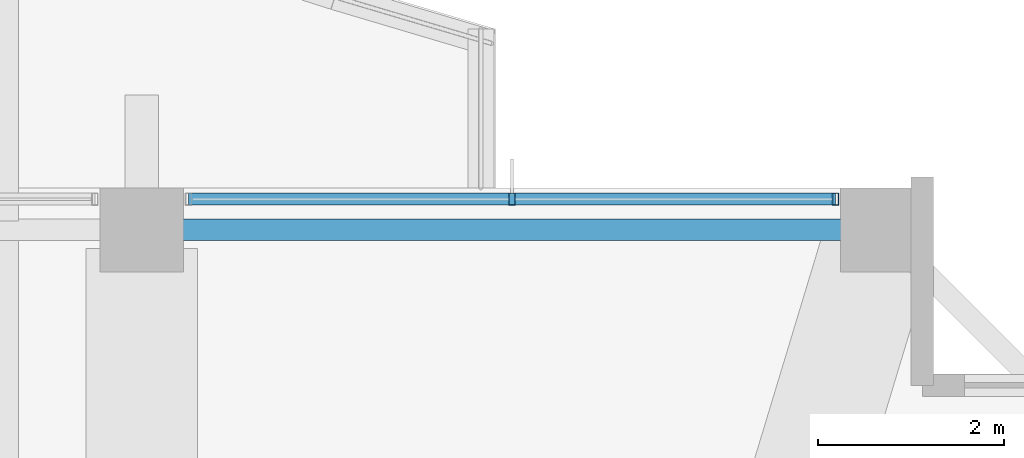
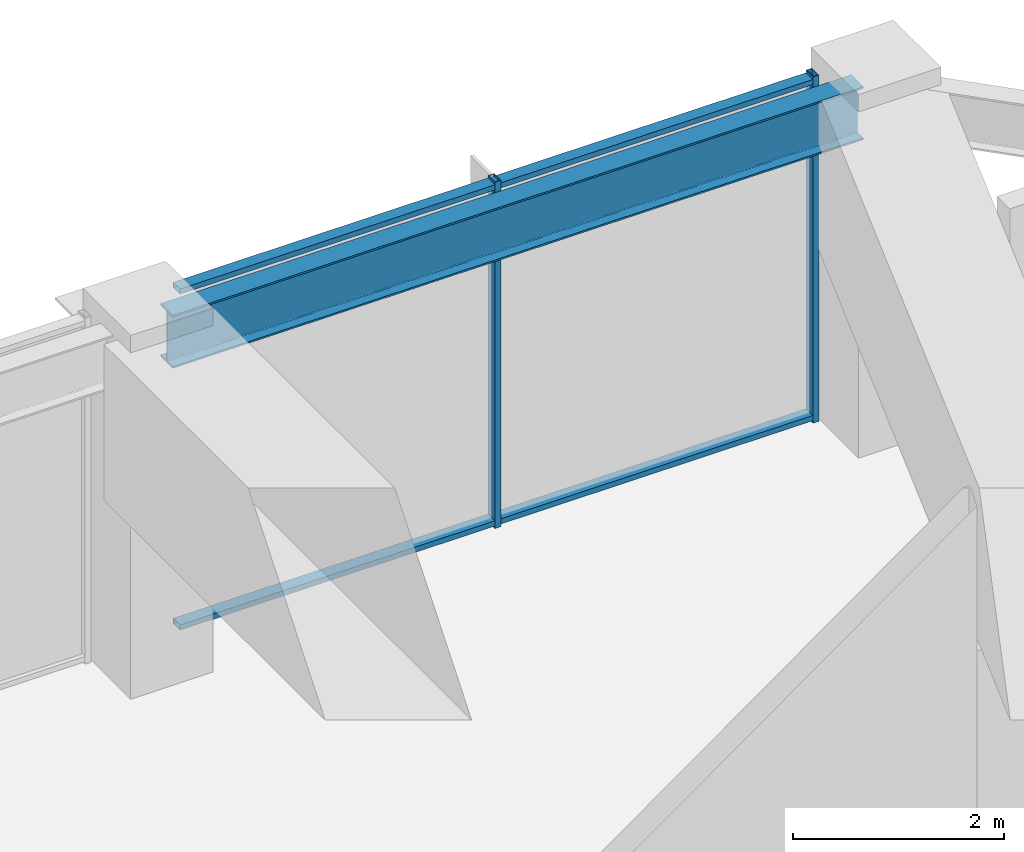
# One storey, part 19 of 33: 4 members, 1 beam, 1 element without a shape of its own.
"""IFC4 building model written with IfcOpenShell, lengths in metres."""

import ifcopenshell
import ifcopenshell.guid

model = None  # the IFC model being written
_history = None  # IfcOwnerHistory: only IFC2X3 demands one
_inside = {}  # id of a spatial element -> (the spatial element, [elements in it])
_under = {}  # id of a project, library or spatial element -> (it, [spatial elements below it])
_declared = {}  # id of a project -> (the project, [libraries it declares])
_typed = {}  # id of a type object -> (the type object, [elements of that type])
_made_of = {}  # id of a material, layer set ... -> (it, [elements and type objects made of it])


def new_model(schema):
    """Start an empty IFC model of exactly this schema.

    Asked for "IFC4X3", IfcOpenShell would pick the latest addendum, in which some entities
    have other attributes; the version numbers below select the first issue.
    IFC2X3 requires an IfcOwnerHistory on every rooted entity: one is made here for all.
    """
    global model, _history
    if schema == "IFC4X3":
        model = ifcopenshell.file(schema_version=(4, 3, 0, 0))
    else:
        model = ifcopenshell.file(schema=schema)
    _inside.clear()
    _under.clear()
    _declared.clear()
    _typed.clear()
    _made_of.clear()
    _history = None
    if model.schema == "IFC2X3":
        org = make("IfcOrganization", Name="unknown")
        user = make(
            "IfcPersonAndOrganization",
            ThePerson=make("IfcPerson", FamilyName="unknown"),
            TheOrganization=org,
        )
        app = make(
            "IfcApplication",
            ApplicationDeveloper=org,
            Version="unknown",
            ApplicationFullName="unknown",
            ApplicationIdentifier="unknown",
        )
        _history = make(
            "IfcOwnerHistory",
            OwningUser=user,
            OwningApplication=app,
            ChangeAction="ADDED",
            CreationDate=0,
        )
    return model


def make(cls, **values):
    """One entity of the class cls with the attributes given. An attribute that is None is left unset."""
    return model.create_entity(
        cls, **{name: value for name, value in values.items() if value is not None}
    )


def rooted(cls, **values):
    """An entity with a GlobalId (a new one), such as an element, a storey or a relation."""
    return make(cls, GlobalId=ifcopenshell.guid.new(), OwnerHistory=_history, **values)


def si_unit(unit_type, name, prefix=None):
    """IfcSIUnit, for example si_unit("LENGTHUNIT", "METRE", prefix="MILLI")."""
    return make("IfcSIUnit", UnitType=unit_type, Prefix=prefix, Name=name)


def assignment(units):
    """IfcUnitAssignment: the units of a project."""
    return None if units is None else make("IfcUnitAssignment", Units=units)


def point(xyz):
    """IfcCartesianPoint."""
    return None if xyz is None else make("IfcCartesianPoint", Coordinates=xyz)


def direction(xyz):
    """IfcDirection."""
    return None if xyz is None else make("IfcDirection", DirectionRatios=xyz)


def frame(location, z_axis=None, x_axis=None):
    """IfcAxis2Placement3D, a coordinate frame: its origin and axes. An axis left out is left unset."""
    return make(
        "IfcAxis2Placement3D",
        Location=point(location),
        Axis=direction(z_axis),
        RefDirection=direction(x_axis),
    )


def frame_2d(location, x_axis=None):
    """IfcAxis2Placement2D, a coordinate frame in the plane: its origin and x axis."""
    return make(
        "IfcAxis2Placement2D", Location=point(location), RefDirection=direction(x_axis)
    )


def origin():
    """The frame at (0, 0, 0) with its axes left unset."""
    return frame((0.0, 0.0, 0.0))


def origin_2d():
    """The frame at (0, 0) in the plane with its x axis left unset."""
    return frame_2d((0.0, 0.0))


def place(relative_to, where):
    """IfcLocalPlacement: puts the frame where relative to a parent placement (None: the world)."""
    return make(
        "IfcLocalPlacement", PlacementRelTo=relative_to, RelativePlacement=where
    )


def context(
    kind, dimensions, precision=None, world=None, true_north=None, identifier=None
):
    """IfcGeometricRepresentationContext, for example the 3D "Model" context."""
    return make(
        "IfcGeometricRepresentationContext",
        ContextIdentifier=identifier,
        ContextType=kind,
        CoordinateSpaceDimension=dimensions,
        Precision=precision,
        WorldCoordinateSystem=world,
        TrueNorth=true_north,
    )


def subcontext(parent, identifier, kind, view, scale=None):
    """IfcGeometricRepresentationSubContext, for example "Body" below "Model"."""
    return make(
        "IfcGeometricRepresentationSubContext",
        ContextIdentifier=identifier,
        ContextType=kind,
        ParentContext=parent,
        TargetScale=scale,
        TargetView=view,
    )


def project(units=None, contexts=None):
    """IfcProject with its units and contexts."""
    return rooted(
        "IfcProject",
        Name="project",
        RepresentationContexts=contexts,
        UnitsInContext=assignment(units),
    )


def spatial(cls, under=None, at=None, **own):
    """A site, building, storey or space (cls), placed at a placement, below another one or the project."""
    s = rooted(cls, ObjectPlacement=at, **own)
    if under is not None:
        _under.setdefault(under.id(), (under, []))[1].append(s)
    return s


def profile(cls, at=None, kind="AREA", **sizes):
    """A parametric profile (cls). Its sizes go by their IFC names, for example OverallWidth=200.0."""
    return make(cls, ProfileType=kind, Position=at, **sizes)


def hollow_rectangle(**sizes):
    """IfcRectangleHollowProfileDef."""
    return profile("IfcRectangleHollowProfileDef", **sizes)


def i_section(**sizes):
    """IfcIShapeProfileDef."""
    return profile("IfcIShapeProfileDef", **sizes)


def extrude(swept, where, along, depth):
    """IfcExtrudedAreaSolid: the profile swept, set in the frame where, extruded along a direction by depth."""
    return make(
        "IfcExtrudedAreaSolid",
        SweptArea=swept,
        Position=where,
        ExtrudedDirection=direction(along),
        Depth=depth,
    )


def shape(context_of_items, identifier, shape_type, items):
    """IfcShapeRepresentation: the items that make up one representation, for example the "Body"."""
    return make(
        "IfcShapeRepresentation",
        ContextOfItems=context_of_items,
        RepresentationIdentifier=identifier,
        RepresentationType=shape_type,
        Items=items,
    )


def material(Name=None, Category=None):
    """IfcMaterial."""
    return make("IfcMaterial", Name=Name, Category=Category)


def material_profile(
    of_material, cross_section, Name=None, Category=None, Priority=None
):
    """IfcMaterialProfile: a cross section and its material."""
    return make(
        "IfcMaterialProfile",
        Name=Name,
        Material=of_material,
        Profile=cross_section,
        Priority=Priority,
        Category=Category,
    )


def profile_set(profiles, Name=None, composite=None):
    """IfcMaterialProfileSet."""
    return make(
        "IfcMaterialProfileSet",
        Name=Name,
        MaterialProfiles=profiles,
        CompositeProfile=composite,
    )


def made_of(thing, what):
    """Note that an element or type object is made of a material, layer set ...; save() writes the relation."""
    if what is not None:
        _made_of.setdefault(what.id(), (what, []))[1].append(thing)
    return thing


def type_object(cls, material=None, **own):
    """A type object (cls), such as IfcWallType, which elements share."""
    return made_of(rooted(cls, **own), material)


def element(
    cls,
    number,
    at=None,
    inside=None,
    cuts=None,
    type_object=None,
    material=None,
    context=None,
    identifier="Body",
    shape_type=None,
    held_by="IfcProductDefinitionShape",
    body=None,
    shapes=None,
    **own,
):
    """One element of the class cls, such as IfcWall. Its Tag is "e" and its number.

    at: its placement. inside: the storey or other place that contains it. cuts: it is an
    opening in that element (IfcRelVoidsElement). A single representation is given by context,
    identifier, shape_type and body (its items); several are given by shapes. held_by: the class
    of the entity that holds the representations. save() writes the other relations.
    """
    e = rooted(cls, Tag="e%d" % number, ObjectPlacement=at, **own)
    if body is not None:
        shapes = [shape(context, identifier, shape_type, body)]
    if shapes is not None:
        e.Representation = make(held_by, Representations=shapes)
    if inside is not None:
        _inside.setdefault(inside.id(), (inside, []))[1].append(e)
    if cuts is not None:
        rooted(
            "IfcRelVoidsElement", RelatingBuildingElement=cuts, RelatedOpeningElement=e
        )
    if type_object is not None:
        _typed.setdefault(type_object.id(), (type_object, []))[1].append(e)
    return made_of(e, material)


def aggregate(whole, parts):
    """IfcRelAggregates: a whole, such as a stair, and the parts it consists of."""
    return rooted("IfcRelAggregates", RelatingObject=whole, RelatedObjects=parts)


def save(model, path):
    """Write the relations noted so far, then the file.

    IfcRelAggregates (storeys below a building ...), IfcRelContainedInSpatialStructure (elements
    in a storey), IfcRelDefinesByType, IfcRelAssociatesMaterial and IfcRelDeclares: one each for
    every whole, place, type object, material and project.
    """
    for whole, parts in _under.values():
        aggregate(whole, parts)
    for where, things in _inside.values():
        rooted(
            "IfcRelContainedInSpatialStructure",
            RelatedElements=things,
            RelatingStructure=where,
        )
    for kind, things in _typed.values():
        rooted("IfcRelDefinesByType", RelatedObjects=things, RelatingType=kind)
    for what, things in _made_of.values():
        rooted("IfcRelAssociatesMaterial", RelatedObjects=things, RelatingMaterial=what)
    for by, libraries in _declared.values():
        rooted("IfcRelDeclares", RelatingContext=by, RelatedDefinitions=libraries)
    model.write(path)


model = new_model("IFC4")

# Units and contexts
model_context = context("Model", 3, precision=1e-05, world=origin(), true_north=direction((0.0, 1.0)))
body_context = subcontext(model_context, "Body", "Model", "MODEL_VIEW")
ifc_project = project(units=[si_unit("LENGTHUNIT", "METRE"), si_unit("AREAUNIT", "SQUARE_METRE"), si_unit("VOLUMEUNIT", "CUBIC_METRE"), si_unit("PLANEANGLEUNIT", "RADIAN"), si_unit("MASSUNIT", "GRAM", prefix="KILO")], contexts=[model_context])

# Site, building, storey
site_placement = place(None, origin())
site = spatial("IfcSite", under=ifc_project, at=site_placement, CompositionType="ELEMENT")
building_placement = place(site_placement, origin())
building = spatial("IfcBuilding", under=site, at=building_placement, Name="Kolvaren Belvedere", CompositionType="ELEMENT")
storey_placement = place(building_placement, frame((0.0, 0.0, 152.699951171875)))
storey = spatial("IfcBuildingStorey", under=building, at=storey_placement, Name="L44", CompositionType="ELEMENT", Elevation=152.699951171875)

# Beam
ifc_material_1 = material(Name="Structural steel ASTM A992 Grade 50", Category="steel")
ifc_material_profile_1 = material_profile(ifc_material_1, i_section(OverallWidth=0.22900390625, OverallDepth=0.612060546875, WebThickness=0.011962890625, FlangeThickness=0.01953125, FilletRadius=0.01806640625, at=origin_2d()), Name="W24X84")
ifc_profile_set_1 = profile_set([ifc_material_profile_1], Name="Structural steel ASTM A992 Grade 50")
beam_type = type_object("IfcBeamType", Name="BM-SPAN-W24X84", PredefinedType="SPANDREL", material=ifc_profile_set_1)
beam_placement = place(storey_placement, frame((12.347412109375, 18.64990234375, 3.694091796875), z_axis=(-1.0, 0.0, 0.0), x_axis=(0.0, -1.0, 0.0)))
element("IfcBeam", 1, at=beam_placement, inside=storey, type_object=beam_type, Name="L44 Perimeter Spandrel N4-N3", PredefinedType="SPANDREL", context=body_context, shape_type="SweptSolid", body=[
    extrude(i_section(OverallWidth=0.22900390625, OverallDepth=0.612060546875, WebThickness=0.011962890625, FlangeThickness=0.01953125, FilletRadius=0.01806640625, at=origin_2d()), origin(), (0.0, 0.0, 1.0), 7.544921875),
])

# Curtain wall, members
ifc_material_2 = material(Name="Anodised pale-metal aluminium AA 6063-T6", Category="aluminium")
curtain_wall_type = type_object("IfcCurtainWallType", Name="CW-Z3-WAIST", PredefinedType="NOTDEFINED", material=ifc_material_2)
curtain_wall_placement = place(storey_placement, origin())
curtain_wall = element("IfcCurtainWall", 2, at=curtain_wall_placement, inside=storey, type_object=curtain_wall_type, Name="L44 Unitised Curtain Wall FCW-L44-N2-B2", PredefinedType="NOTDEFINED")
ifc_material_3 = material(Name="Anodised pale-metal aluminium AA 6063-T6", Category="aluminium")
ifc_material_profile_2 = material_profile(ifc_material_3, hollow_rectangle(XDim=0.06494140625, YDim=0.1298828125, WallThickness=0.00390625, at=origin_2d()), Name="ALU-MUL-130X65")
ifc_profile_set_2 = profile_set([ifc_material_profile_2], Name="Anodised pale-metal aluminium AA 6063-T6")
member_type_1 = type_object("IfcMemberType", Name="CW-MUL-130", PredefinedType="MULLION", material=ifc_profile_set_2)
member_1_placement = place(storey_placement, frame((8.574951171875, 18.97998046875, 0.0), z_axis=(0.0, 0.0, 1.0), x_axis=(1.0, 0.0, 0.0)))
member_1 = element("IfcMember", 3, at=member_1_placement, type_object=member_type_1, Name="FCW-L44-N2-B2 Unitised Mullion 2", PredefinedType="MULLION", context=body_context, shape_type="SweptSolid", body=[
    extrude(hollow_rectangle(XDim=0.06494140625, YDim=0.1298828125, WallThickness=0.00390625, at=origin_2d()), origin(), (0.0, 0.0, 1.0), 4.0),
])
member_2_placement = place(storey_placement, frame((12.047607421875, 18.97998046875, 0.0), z_axis=(0.0, 0.0, 1.0), x_axis=(1.0, 0.0, 0.0)))
member_2 = element("IfcMember", 4, at=member_2_placement, type_object=member_type_1, Name="FCW-L44-N2-B2 Unitised Mullion 3", PredefinedType="MULLION", context=body_context, shape_type="SweptSolid", body=[
    extrude(hollow_rectangle(XDim=0.06494140625, YDim=0.1298828125, WallThickness=0.00390625, at=origin_2d()), origin(), (0.0, 0.0, 1.0), 4.0),
])
ifc_material_4 = material(Name="Anodised pale-metal aluminium AA 6063-T6", Category="aluminium")
ifc_material_profile_3 = material_profile(ifc_material_4, hollow_rectangle(XDim=0.06005859375, YDim=0.1298828125, WallThickness=0.00390625, at=origin_2d()), Name="ALU-TRN-130X60")
ifc_profile_set_3 = profile_set([ifc_material_profile_3], Name="Anodised pale-metal aluminium AA 6063-T6")
member_type_2 = type_object("IfcMemberType", Name="CW-TRN-130", PredefinedType="USERDEFINED", material=ifc_profile_set_3)
member_3_placement = place(storey_placement, frame((5.1025390625, 18.97998046875, 0.06005859375), z_axis=(1.0, 0.0, 0.0), x_axis=(0.0, 0.0, 1.0)))
member_3 = element("IfcMember", 5, at=member_3_placement, type_object=member_type_2, Name="FCW-L44-N2-B2 Sill Transom", ObjectType="TRANSOM", PredefinedType="USERDEFINED", context=body_context, shape_type="SweptSolid", body=[
    extrude(hollow_rectangle(XDim=0.06005859375, YDim=0.1298828125, WallThickness=0.00390625, at=origin_2d()), origin(), (0.0, 0.0, 1.0), 6.945068359375),
])
member_4_placement = place(storey_placement, frame((5.1025390625, 18.97998046875, 3.93994140625), z_axis=(1.0, 0.0, 0.0), x_axis=(0.0, 0.0, 1.0)))
member_4 = element("IfcMember", 6, at=member_4_placement, type_object=member_type_2, Name="FCW-L44-N2-B2 Head Transom", ObjectType="TRANSOM", PredefinedType="USERDEFINED", context=body_context, shape_type="SweptSolid", body=[
    extrude(hollow_rectangle(XDim=0.06005859375, YDim=0.1298828125, WallThickness=0.00390625, at=origin_2d()), origin(), (0.0, 0.0, 1.0), 6.945068359375),
])
aggregate(curtain_wall, [member_1, member_2, member_3, member_4])

save(model, "model.ifc")
